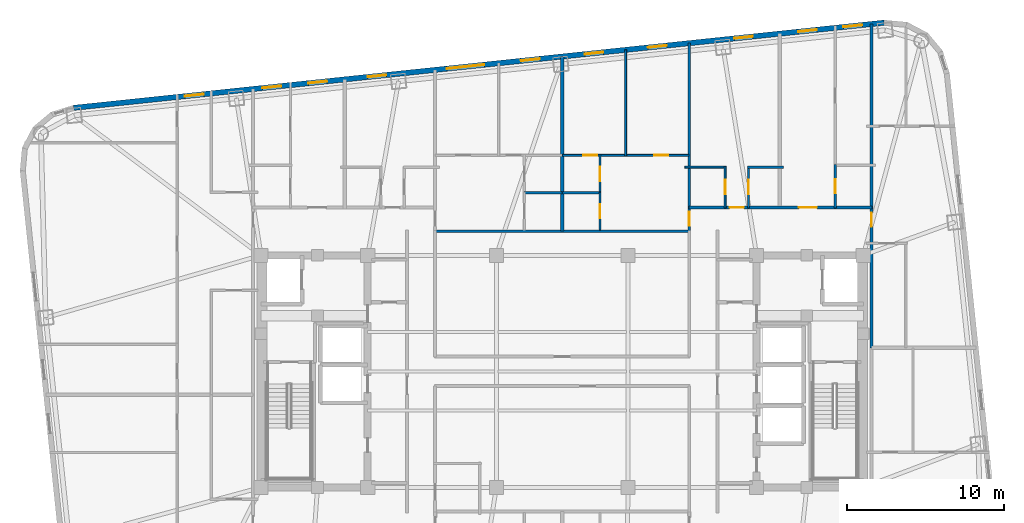
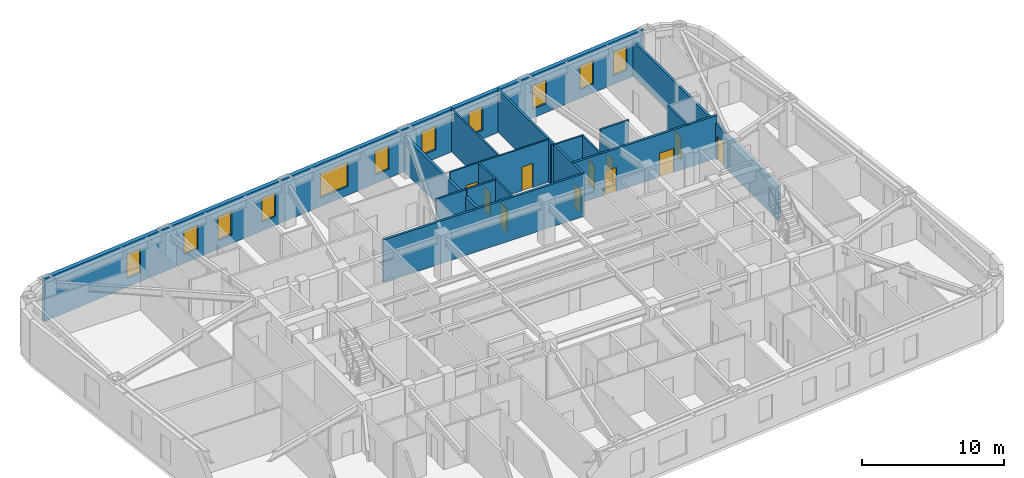
# One storey, part 8 of 11: 17 walls, 11 doors, 11 windows, 22 openings.
"""IFC4 building model written with IfcOpenShell, lengths in metres."""

from ifc_helpers import new_model, si_unit, direction, frame, frame_2d, origin, place, context, subcontext, project, spatial, rectangle, extrude, material, layer, layer_set, type_object, element, fill, save


model = new_model("IFC4")

# Units and contexts
model_context = context("Model", 3, precision=1e-05, world=origin(), true_north=direction((0.0, 1.0)))
body_context = subcontext(model_context, "Body", "Model", "MODEL_VIEW")
ifc_project = project(units=[si_unit("LENGTHUNIT", "METRE"), si_unit("AREAUNIT", "SQUARE_METRE"), si_unit("VOLUMEUNIT", "CUBIC_METRE"), si_unit("PLANEANGLEUNIT", "RADIAN"), si_unit("MASSUNIT", "GRAM", prefix="KILO")], contexts=[model_context])

# Site, building, storey
site_placement = place(None, origin())
site = spatial("IfcSite", under=ifc_project, at=site_placement, CompositionType="ELEMENT")
building_placement = place(site_placement, origin())
building = spatial("IfcBuilding", under=site, at=building_placement, Name="Voryun Gate Residences", CompositionType="ELEMENT")
storey_placement = place(building_placement, frame((0.0, 0.0, 163.800048828125)))
storey = spatial("IfcBuildingStorey", under=building, at=storey_placement, Name="L40", CompositionType="ELEMENT", Elevation=163.800048828125)

# Wall
ifc_material_1 = material(Name="Gypsum acoustic fireboard")
ifc_layer_1 = layer(ifc_material_1, 0.179931640625, Name="W_CORR_RATED_180")
ifc_layer_set_1 = layer_set([ifc_layer_1], Name="Gypsum acoustic fireboard")
wall_type_1 = type_object("IfcWallType", Name="W_CORR_RATED_180", PredefinedType="PARTITIONING", material=ifc_layer_set_1)
wall_1_placement = place(storey_placement, frame((-8.14990234375, 8.93994140625, 0.0), z_axis=(0.0, 0.0, 1.0), x_axis=(1.0, 0.0, 0.0)))
element("IfcWall", 1, at=wall_1_placement, inside=storey, type_object=wall_type_1, Name="Partition wall WP-L40-Z2N", PredefinedType="PARTITIONING", context=body_context, shape_type="SweptSolid", body=[
    extrude(rectangle(XDim=16.2998046875, YDim=0.179931640625, at=frame_2d((8.14990234375, 0.0))), origin(), (0.0, 0.0, 1.0), 3.64990234375),
])

# Wall, openings, doors
wall_2_placement = place(storey_placement, frame((8.080078125, 10.449951171875, 0.0), z_axis=(0.0, 0.0, 1.0), x_axis=(1.0, 0.0, 0.0)))
wall_2 = element("IfcWall", 2, at=wall_2_placement, inside=storey, type_object=wall_type_1, Name="Partition wall WP-L40-NCORR-E", PredefinedType="PARTITIONING", context=body_context, shape_type="SweptSolid", body=[
    extrude(rectangle(XDim=11.669921875, YDim=0.179931640625, at=frame_2d((5.8349609375, 0.0))), origin(), (0.0, 0.0, 1.0), 3.64990234375),
])
opening_1_placement = place(wall_2_placement, frame((2.60400390625, 0.0, 0.0)))
opening_1 = element("IfcOpeningElement", 3, at=opening_1_placement, cuts=wall_2, Name="Opening D-INT-2", PredefinedType="OPENING", context=body_context, shape_type="SweptSolid", body=[
    extrude(rectangle(XDim=0.89990234375, YDim=2.050048828125, at=frame_2d((0.449951171875, 1.02490234375))), frame((0.0, 0.099853515625, 0.0), z_axis=(0.0, -1.0, 0.0), x_axis=(1.0, 0.0, 0.0)), (0.0, 0.0, 1.0), 0.199951171875),
])
opening_2_placement = place(wall_2_placement, frame((7.016357421875, 0.0, 0.0)))
opening_2 = element("IfcOpeningElement", 4, at=opening_2_placement, cuts=wall_2, Name="Opening D-UNIT-1", PredefinedType="OPENING", context=body_context, shape_type="SweptSolid", body=[
    extrude(rectangle(XDim=1.14990234375, YDim=2.050048828125, at=frame_2d((0.574951171875, 1.02490234375))), frame((0.0, 0.099853515625, 0.0), z_axis=(0.0, -1.0, 0.0), x_axis=(1.0, 0.0, 0.0)), (0.0, 0.0, 1.0), 0.199951171875),
])
ifc_material_2 = material(Name="Architectural oak veneer")
door_type_1 = type_object("IfcDoorType", Name="DR_INT_BATH_900", OperationType="NOTDEFINED", PredefinedType="DOOR", material=ifc_material_2)
door_1_placement = place(opening_1_placement, origin())
door_1 = element("IfcDoor", 5, at=door_1_placement, inside=storey, type_object=door_type_1, Name="Door DR-L40-NENT-4", OperationType="SINGLE_SWING_RIGHT", OverallHeight=2.050048828125, OverallWidth=0.89990234375, PredefinedType="DOOR", context=body_context, shape_type="SweptSolid", body=[
    extrude(rectangle(XDim=0.89990234375, YDim=2.050048828125, at=frame_2d((0.449951171875, 1.02490234375))), frame((0.0, 0.02490234375, 0.0), z_axis=(0.0, -1.0, 0.0), x_axis=(1.0, 0.0, 0.0)), (0.0, 0.0, 1.0), 0.050048828125),
])
fill(opening_1, door_1)
ifc_material_3 = material(Name="Armoured timber-clad fire door", Category="wood")
door_type_2 = type_object("IfcDoorType", Name="DR_UNIT_ENTRY_1150", OperationType="NOTDEFINED", PredefinedType="DOOR", material=ifc_material_3)
door_2_placement = place(opening_2_placement, origin())
door_2 = element("IfcDoor", 6, at=door_2_placement, inside=storey, type_object=door_type_2, Name="Door DR-L40-NENT-5", OperationType="SINGLE_SWING_LEFT", OverallHeight=2.050048828125, OverallWidth=1.14990234375, PredefinedType="DOOR", context=body_context, shape_type="SweptSolid", body=[
    extrude(rectangle(XDim=1.14990234375, YDim=2.050048828125, at=frame_2d((0.574951171875, 1.02490234375))), frame((0.0, 0.02490234375, 0.0), z_axis=(0.0, -1.0, 0.0), x_axis=(1.0, 0.0, 0.0)), (0.0, 0.0, 1.0), 0.050048828125),
])
fill(opening_2, door_2)

# Wall, opening, door
wall_3_placement = place(storey_placement, frame((8.10009765625, 8.93994140625, 0.0), z_axis=(0.0, 0.0, 1.0), x_axis=(0.0, 1.0, 0.0)))
wall_3 = element("IfcWall", 7, at=wall_3_placement, inside=storey, type_object=wall_type_1, Name="Partition wall WP-L40-NZV-2", PredefinedType="PARTITIONING", context=body_context, shape_type="SweptSolid", body=[
    extrude(rectangle(XDim=11.9892578125, YDim=0.179931640625, at=frame_2d((5.99462890625, 0.0))), origin(), (0.0, 0.0, 1.0), 3.64990234375),
])
opening_3_placement = place(wall_3_placement, frame((0.349609375, 0.0, 0.0)))
opening_3 = element("IfcOpeningElement", 8, at=opening_3_placement, cuts=wall_3, Name="Opening D-INT-2", PredefinedType="OPENING", context=body_context, shape_type="SweptSolid", body=[
    extrude(rectangle(XDim=0.89990234375, YDim=2.050048828125, at=frame_2d((0.449951171875, 1.02490234375))), frame((0.0, 0.099853515625, 0.0), z_axis=(0.0, -1.0, 0.0), x_axis=(1.0, 0.0, 0.0)), (0.0, 0.0, 1.0), 0.199951171875),
])
door_3_placement = place(opening_3_placement, origin())
door_3 = element("IfcDoor", 9, at=door_3_placement, inside=storey, type_object=door_type_1, Name="Door DR-L40-NZENT-2", OperationType="SINGLE_SWING_RIGHT", OverallHeight=2.050048828125, OverallWidth=0.89990234375, PredefinedType="DOOR", context=body_context, shape_type="SweptSolid", body=[
    extrude(rectangle(XDim=0.89990234375, YDim=2.050048828125, at=frame_2d((0.449951171875, 1.02490234375))), frame((0.0, 0.02490234375, 0.0), z_axis=(0.0, -1.0, 0.0), x_axis=(1.0, 0.0, 0.0)), (0.0, 0.0, 1.0), 0.050048828125),
])
fill(opening_3, door_3)

wall_4_placement = place(storey_placement, frame((19.719970703125, 1.5, 0.0), z_axis=(0.0, 0.0, 1.0), x_axis=(0.0, 1.0, 0.0)))
wall_4 = element("IfcWall", 10, at=wall_4_placement, inside=storey, type_object=wall_type_1, Name="Partition wall WP-L40-ECOR2", PredefinedType="PARTITIONING", context=body_context, shape_type="SweptSolid", body=[
    extrude(rectangle(XDim=20.650390625, YDim=0.179931640625, at=frame_2d((10.3251953125, 0.0))), origin(), (0.0, 0.0, 1.0), 3.0400390625),
])
opening_4_placement = place(wall_4_placement, frame((7.7294921875, 0.0, 0.0)))
opening_4 = element("IfcOpeningElement", 11, at=opening_4_placement, cuts=wall_4, Name="Opening D-INT-2", PredefinedType="OPENING", context=body_context, shape_type="SweptSolid", body=[
    extrude(rectangle(XDim=0.89990234375, YDim=2.050048828125, at=frame_2d((0.449951171875, 1.02490234375))), frame((0.0, 0.099853515625, 0.0), z_axis=(0.0, -1.0, 0.0), x_axis=(1.0, 0.0, 0.0)), (0.0, 0.0, 1.0), 0.199951171875),
])
door_4_placement = place(opening_4_placement, origin())
door_4 = element("IfcDoor", 12, at=door_4_placement, inside=storey, type_object=door_type_1, Name="Door DR-L40-EE2", OperationType="SINGLE_SWING_RIGHT", OverallHeight=2.050048828125, OverallWidth=0.89990234375, PredefinedType="DOOR", context=body_context, shape_type="SweptSolid", body=[
    extrude(rectangle(XDim=0.89990234375, YDim=2.050048828125, at=frame_2d((0.449951171875, 1.02490234375))), frame((0.0, 0.02490234375, 0.0), z_axis=(0.0, -1.0, 0.0), x_axis=(1.0, 0.0, 0.0)), (0.0, 0.0, 1.0), 0.050048828125),
])
fill(opening_4, door_4)

# Wall, openings, windows
ifc_material_4 = material(Name="Charcoal terracotta masonry", Category="masonry")
ifc_layer_2 = layer(ifc_material_4, 0.340087890625, Name="W_EXT_TERRACOTTA_340")
ifc_layer_set_2 = layer_set([ifc_layer_2], Name="Charcoal terracotta masonry")
wall_type_2 = type_object("IfcWallType", Name="W_EXT_TERRACOTTA_340", PredefinedType="ELEMENTEDWALL", material=ifc_layer_set_2)
wall_5_placement = place(storey_placement, frame((-31.155517578125, 16.80322265625, 0.0), z_axis=(0.0, 0.0, 1.0), x_axis=(0.99452209583, 0.104526555986, 0.0)))
wall_5 = element("IfcWall", 13, at=wall_5_placement, inside=storey, type_object=wall_type_2, Name="Exterior wall WEXT-L40-11", PredefinedType="ELEMENTEDWALL", context=body_context, shape_type="SweptSolid", body=[
    extrude(rectangle(XDim=51.966552734375, YDim=0.340087890625, at=frame_2d((25.9833984375, 0.0))), origin(), (0.0, 0.0, 1.0), 3.64990234375),
])
opening_5_placement = place(wall_5_placement, frame((23.93310546875, 0.0, 0.75)))
opening_5 = element("IfcOpeningElement", 14, at=opening_5_placement, cuts=wall_5, Name="Opening WN2", PredefinedType="OPENING", context=body_context, shape_type="SweptSolid", body=[
    extrude(rectangle(XDim=2.39990234375, YDim=2.10009765625, at=frame_2d((1.199951171875, 1.050048828125))), frame((0.0, 0.179931640625, 0.0), z_axis=(0.0, -1.0, 0.0), x_axis=(1.0, 0.0, 0.0)), (0.0, 0.0, 1.0), 0.360107421875),
])
opening_6_placement = place(wall_5_placement, frame((15.04638671875, 0.0, 0.75)))
opening_6 = element("IfcOpeningElement", 15, at=opening_6_placement, cuts=wall_5, Name="Opening WN6", PredefinedType="OPENING", context=body_context, shape_type="SweptSolid", body=[
    extrude(rectangle(XDim=1.199951171875, YDim=2.050048828125, at=frame_2d((0.60009765625, 1.02490234375))), frame((0.0, 0.179931640625, 0.0), z_axis=(0.0, -1.0, 0.0), x_axis=(1.0, 0.0, 0.0)), (0.0, 0.0, 1.0), 0.360107421875),
])
opening_7_placement = place(wall_5_placement, frame((12.10791015625, 0.0, 0.75)))
opening_7 = element("IfcOpeningElement", 16, at=opening_7_placement, cuts=wall_5, Name="Opening WN6", PredefinedType="OPENING", context=body_context, shape_type="SweptSolid", body=[
    extrude(rectangle(XDim=1.199951171875, YDim=2.050048828125, at=frame_2d((0.60009765625, 1.02490234375))), frame((0.0, 0.179931640625, 0.0), z_axis=(0.0, -1.0, 0.0), x_axis=(1.0, 0.0, 0.0)), (0.0, 0.0, 1.0), 0.360107421875),
])
opening_8_placement = place(wall_5_placement, frame((18.851806640625, 0.0, 0.75)))
opening_8 = element("IfcOpeningElement", 17, at=opening_8_placement, cuts=wall_5, Name="Opening WN6", PredefinedType="OPENING", context=body_context, shape_type="SweptSolid", body=[
    extrude(rectangle(XDim=1.199951171875, YDim=2.050048828125, at=frame_2d((0.60009765625, 1.02490234375))), frame((0.0, 0.179931640625, 0.0), z_axis=(0.0, -1.0, 0.0), x_axis=(1.0, 0.0, 0.0)), (0.0, 0.0, 1.0), 0.360107421875),
])
opening_9_placement = place(wall_5_placement, frame((42.35791015625, 0.0, 0.75)))
opening_9 = element("IfcOpeningElement", 18, at=opening_9_placement, cuts=wall_5, Name="Opening WN6", PredefinedType="OPENING", context=body_context, shape_type="SweptSolid", body=[
    extrude(rectangle(XDim=1.199951171875, YDim=2.050048828125, at=frame_2d((0.60009765625, 1.02490234375))), frame((0.0, 0.179931640625, 0.0), z_axis=(0.0, -1.0, 0.0), x_axis=(1.0, 0.0, 0.0)), (0.0, 0.0, 1.0), 0.360107421875),
])
opening_10_placement = place(wall_5_placement, frame((46.451904296875, 0.0, 0.75)))
opening_10 = element("IfcOpeningElement", 19, at=opening_10_placement, cuts=wall_5, Name="Opening WN6", PredefinedType="OPENING", context=body_context, shape_type="SweptSolid", body=[
    extrude(rectangle(XDim=1.199951171875, YDim=2.050048828125, at=frame_2d((0.60009765625, 1.02490234375))), frame((0.0, 0.179931640625, 0.0), z_axis=(0.0, -1.0, 0.0), x_axis=(1.0, 0.0, 0.0)), (0.0, 0.0, 1.0), 0.360107421875),
])
opening_11_placement = place(wall_5_placement, frame((49.355712890625, 0.0, 0.75)))
opening_11 = element("IfcOpeningElement", 20, at=opening_11_placement, cuts=wall_5, Name="Opening WN6", PredefinedType="OPENING", context=body_context, shape_type="SweptSolid", body=[
    extrude(rectangle(XDim=1.199951171875, YDim=2.050048828125, at=frame_2d((0.60009765625, 1.02490234375))), frame((0.0, 0.179931640625, 0.0), z_axis=(0.0, -1.0, 0.0), x_axis=(1.0, 0.0, 0.0)), (0.0, 0.0, 1.0), 0.360107421875),
])
opening_12_placement = place(wall_5_placement, frame((28.68359375, 0.0, 0.75)))
opening_12 = element("IfcOpeningElement", 21, at=opening_12_placement, cuts=wall_5, Name="Opening WN6", PredefinedType="OPENING", context=body_context, shape_type="SweptSolid", body=[
    extrude(rectangle(XDim=1.199951171875, YDim=2.050048828125, at=frame_2d((0.60009765625, 1.02490234375))), frame((0.0, 0.179931640625, 0.0), z_axis=(0.0, -1.0, 0.0), x_axis=(1.0, 0.0, 0.0)), (0.0, 0.0, 1.0), 0.360107421875),
])
opening_13_placement = place(wall_5_placement, frame((32.76611328125, 0.0, 0.75)))
opening_13 = element("IfcOpeningElement", 22, at=opening_13_placement, cuts=wall_5, Name="Opening WN6", PredefinedType="OPENING", context=body_context, shape_type="SweptSolid", body=[
    extrude(rectangle(XDim=1.199951171875, YDim=2.050048828125, at=frame_2d((0.60009765625, 1.02490234375))), frame((0.0, 0.179931640625, 0.0), z_axis=(0.0, -1.0, 0.0), x_axis=(1.0, 0.0, 0.0)), (0.0, 0.0, 1.0), 0.360107421875),
])
opening_14_placement = place(wall_5_placement, frame((36.828369140625, 0.0, 0.75)))
opening_14 = element("IfcOpeningElement", 23, at=opening_14_placement, cuts=wall_5, Name="Opening WN6", PredefinedType="OPENING", context=body_context, shape_type="SweptSolid", body=[
    extrude(rectangle(XDim=1.199951171875, YDim=2.050048828125, at=frame_2d((0.60009765625, 1.02490234375))), frame((0.0, 0.179931640625, 0.0), z_axis=(0.0, -1.0, 0.0), x_axis=(1.0, 0.0, 0.0)), (0.0, 0.0, 1.0), 0.360107421875),
])
opening_15_placement = place(wall_5_placement, frame((7.135498046875, 0.0, 0.75)))
opening_15 = element("IfcOpeningElement", 24, at=opening_15_placement, cuts=wall_5, Name="Opening WN6", PredefinedType="OPENING", context=body_context, shape_type="SweptSolid", body=[
    extrude(rectangle(XDim=1.199951171875, YDim=2.050048828125, at=frame_2d((0.60009765625, 1.02490234375))), frame((0.0, 0.179931640625, 0.0), z_axis=(0.0, -1.0, 0.0), x_axis=(1.0, 0.0, 0.0)), (0.0, 0.0, 1.0), 0.360107421875),
])
ifc_material_5 = material(Name="Laminated low-E glass", Category="glass")
window_type_1 = type_object("IfcWindowType", Name="WN_POD_SLOT_1200", PartitioningType="SINGLE_PANEL", PredefinedType="WINDOW", material=ifc_material_5)
window_1_placement = place(opening_6_placement, origin())
window_1 = element("IfcWindow", 25, at=window_1_placement, inside=storey, type_object=window_type_1, Name="Window WN-L40-DWFIX-01", OverallHeight=2.050048828125, OverallWidth=1.199951171875, PartitioningType="SINGLE_PANEL", PredefinedType="WINDOW", context=body_context, shape_type="SweptSolid", body=[
    extrude(rectangle(XDim=1.199951171875, YDim=2.050048828125, at=frame_2d((0.60009765625, 1.02490234375))), frame((0.0, 0.030029296875, 0.0), z_axis=(0.0, -1.0, 0.0), x_axis=(1.0, 0.0, 0.0)), (0.0, 0.0, 1.0), 0.06005859375),
])
fill(opening_6, window_1)
window_2_placement = place(opening_7_placement, origin())
window_2 = element("IfcWindow", 26, at=window_2_placement, inside=storey, type_object=window_type_1, Name="Window WN-L40-DWFIX-02", OverallHeight=2.050048828125, OverallWidth=1.199951171875, PartitioningType="SINGLE_PANEL", PredefinedType="WINDOW", context=body_context, shape_type="SweptSolid", body=[
    extrude(rectangle(XDim=1.199951171875, YDim=2.050048828125, at=frame_2d((0.60009765625, 1.02490234375))), frame((0.0, 0.030029296875, 0.0), z_axis=(0.0, -1.0, 0.0), x_axis=(1.0, 0.0, 0.0)), (0.0, 0.0, 1.0), 0.06005859375),
])
fill(opening_7, window_2)
window_3_placement = place(opening_8_placement, origin())
window_3 = element("IfcWindow", 27, at=window_3_placement, inside=storey, type_object=window_type_1, Name="Window WN-L40-DWFIX-03", OverallHeight=2.050048828125, OverallWidth=1.199951171875, PartitioningType="SINGLE_PANEL", PredefinedType="WINDOW", context=body_context, shape_type="SweptSolid", body=[
    extrude(rectangle(XDim=1.199951171875, YDim=2.050048828125, at=frame_2d((0.60009765625, 1.02490234375))), frame((0.0, 0.030029296875, 0.0), z_axis=(0.0, -1.0, 0.0), x_axis=(1.0, 0.0, 0.0)), (0.0, 0.0, 1.0), 0.06005859375),
])
fill(opening_8, window_3)
window_4_placement = place(opening_9_placement, origin())
window_4 = element("IfcWindow", 28, at=window_4_placement, inside=storey, type_object=window_type_1, Name="Window WN-L40-DWFIX-04", OverallHeight=2.050048828125, OverallWidth=1.199951171875, PartitioningType="SINGLE_PANEL", PredefinedType="WINDOW", context=body_context, shape_type="SweptSolid", body=[
    extrude(rectangle(XDim=1.199951171875, YDim=2.050048828125, at=frame_2d((0.60009765625, 1.02490234375))), frame((0.0, 0.030029296875, 0.0), z_axis=(0.0, -1.0, 0.0), x_axis=(1.0, 0.0, 0.0)), (0.0, 0.0, 1.0), 0.06005859375),
])
fill(opening_9, window_4)
window_5_placement = place(opening_10_placement, origin())
window_5 = element("IfcWindow", 29, at=window_5_placement, inside=storey, type_object=window_type_1, Name="Window WN-L40-DWFIX-05", OverallHeight=2.050048828125, OverallWidth=1.199951171875, PartitioningType="SINGLE_PANEL", PredefinedType="WINDOW", context=body_context, shape_type="SweptSolid", body=[
    extrude(rectangle(XDim=1.199951171875, YDim=2.050048828125, at=frame_2d((0.60009765625, 1.02490234375))), frame((0.0, 0.030029296875, 0.0), z_axis=(0.0, -1.0, 0.0), x_axis=(1.0, 0.0, 0.0)), (0.0, 0.0, 1.0), 0.06005859375),
])
fill(opening_10, window_5)
window_6_placement = place(opening_11_placement, origin())
window_6 = element("IfcWindow", 30, at=window_6_placement, inside=storey, type_object=window_type_1, Name="Window WN-L40-DWFIX-06", OverallHeight=2.050048828125, OverallWidth=1.199951171875, PartitioningType="SINGLE_PANEL", PredefinedType="WINDOW", context=body_context, shape_type="SweptSolid", body=[
    extrude(rectangle(XDim=1.199951171875, YDim=2.050048828125, at=frame_2d((0.60009765625, 1.02490234375))), frame((0.0, 0.030029296875, 0.0), z_axis=(0.0, -1.0, 0.0), x_axis=(1.0, 0.0, 0.0)), (0.0, 0.0, 1.0), 0.06005859375),
])
fill(opening_11, window_6)
window_7_placement = place(opening_12_placement, origin())
window_7 = element("IfcWindow", 31, at=window_7_placement, inside=storey, type_object=window_type_1, Name="Window WN-L40-DWFIX-07", OverallHeight=2.050048828125, OverallWidth=1.199951171875, PartitioningType="SINGLE_PANEL", PredefinedType="WINDOW", context=body_context, shape_type="SweptSolid", body=[
    extrude(rectangle(XDim=1.199951171875, YDim=2.050048828125, at=frame_2d((0.60009765625, 1.02490234375))), frame((0.0, 0.030029296875, 0.0), z_axis=(0.0, -1.0, 0.0), x_axis=(1.0, 0.0, 0.0)), (0.0, 0.0, 1.0), 0.06005859375),
])
fill(opening_12, window_7)
window_8_placement = place(opening_13_placement, origin())
window_8 = element("IfcWindow", 32, at=window_8_placement, inside=storey, type_object=window_type_1, Name="Window WN-L40-DWFIX-08", OverallHeight=2.050048828125, OverallWidth=1.199951171875, PartitioningType="SINGLE_PANEL", PredefinedType="WINDOW", context=body_context, shape_type="SweptSolid", body=[
    extrude(rectangle(XDim=1.199951171875, YDim=2.050048828125, at=frame_2d((0.60009765625, 1.02490234375))), frame((0.0, 0.030029296875, 0.0), z_axis=(0.0, -1.0, 0.0), x_axis=(1.0, 0.0, 0.0)), (0.0, 0.0, 1.0), 0.06005859375),
])
fill(opening_13, window_8)
window_9_placement = place(opening_14_placement, origin())
window_9 = element("IfcWindow", 33, at=window_9_placement, inside=storey, type_object=window_type_1, Name="Window WN-L40-DWFIX-09", OverallHeight=2.050048828125, OverallWidth=1.199951171875, PartitioningType="SINGLE_PANEL", PredefinedType="WINDOW", context=body_context, shape_type="SweptSolid", body=[
    extrude(rectangle(XDim=1.199951171875, YDim=2.050048828125, at=frame_2d((0.60009765625, 1.02490234375))), frame((0.0, 0.030029296875, 0.0), z_axis=(0.0, -1.0, 0.0), x_axis=(1.0, 0.0, 0.0)), (0.0, 0.0, 1.0), 0.06005859375),
])
fill(opening_14, window_9)
window_10_placement = place(opening_15_placement, origin())
window_10 = element("IfcWindow", 34, at=window_10_placement, inside=storey, type_object=window_type_1, Name="Window WN-L40-DWFIX-23", OverallHeight=2.050048828125, OverallWidth=1.199951171875, PartitioningType="SINGLE_PANEL", PredefinedType="WINDOW", context=body_context, shape_type="SweptSolid", body=[
    extrude(rectangle(XDim=1.199951171875, YDim=2.050048828125, at=frame_2d((0.60009765625, 1.02490234375))), frame((0.0, 0.030029296875, 0.0), z_axis=(0.0, -1.0, 0.0), x_axis=(1.0, 0.0, 0.0)), (0.0, 0.0, 1.0), 0.06005859375),
])
fill(opening_15, window_10)
ifc_material_6 = material(Name="Laminated low-E glass", Category="glass")
window_type_2 = type_object("IfcWindowType", Name="WN_RES_WIDE_2400", PartitioningType="SINGLE_PANEL", PredefinedType="WINDOW", material=ifc_material_6)
window_11_placement = place(opening_5_placement, origin())
window_11 = element("IfcWindow", 35, at=window_11_placement, inside=storey, type_object=window_type_2, Name="Window WN-WEXT-L40-11-02", OverallHeight=2.10009765625, OverallWidth=2.39990234375, PartitioningType="SINGLE_PANEL", PredefinedType="WINDOW", context=body_context, shape_type="SweptSolid", body=[
    extrude(rectangle(XDim=2.39990234375, YDim=2.10009765625, at=frame_2d((1.199951171875, 1.050048828125))), frame((0.0, 0.030029296875, 0.0), z_axis=(0.0, -1.0, 0.0), x_axis=(1.0, 0.0, 0.0)), (0.0, 0.0, 1.0), 0.06005859375),
])
fill(opening_5, window_11)

# Wall
ifc_material_7 = material(Name="Concrete C40/50", Category="concrete")
ifc_layer_3 = layer(ifc_material_7, 0.219970703125, Name="W_PARTY_ACOUSTIC_220")
ifc_layer_set_3 = layer_set([ifc_layer_3], Name="Concrete C40/50")
wall_type_3 = type_object("IfcWallType", Name="W_PARTY_ACOUSTIC_220", PredefinedType="PARTITIONING", material=ifc_layer_set_3)
wall_6_placement = place(storey_placement, frame((0.0, 8.93994140625, 0.0), z_axis=(0.0, 0.0, 1.0), x_axis=(0.0, 1.0, 0.0)))
element("IfcWall", 36, at=wall_6_placement, inside=storey, type_object=wall_type_3, Name="Partition wall WP-L40-NZMID", PredefinedType="PARTITIONING", context=body_context, shape_type="SweptSolid", body=[
    extrude(rectangle(XDim=11.137939453125, YDim=0.219970703125, at=frame_2d((5.56884765625, 0.0))), origin(), (0.0, 0.0, 1.0), 3.0400390625),
])

# Wall, opening, door
ifc_material_8 = material(Name="Gypsum acoustic partition")
ifc_layer_4 = layer(ifc_material_8, 0.125, Name="W_UNIT_PART_125")
ifc_layer_set_4 = layer_set([ifc_layer_4], Name="Gypsum acoustic partition")
wall_type_4 = type_object("IfcWallType", Name="W_UNIT_PART_125", PredefinedType="PARTITIONING", material=ifc_layer_set_4)
wall_7_placement = place(storey_placement, frame((10.389892578125, 10.429931640625, 0.0), z_axis=(0.0, 0.0, 1.0), x_axis=(0.0, 1.0, 0.0)))
wall_7 = element("IfcWall", 37, at=wall_7_placement, inside=storey, type_object=wall_type_4, Name="Partition wall WP-L40-N4-CVK", PredefinedType="PARTITIONING", context=body_context, shape_type="SweptSolid", body=[
    extrude(rectangle(XDim=2.650146484375, YDim=0.125, at=frame_2d((1.3251953125, 0.0))), origin(), (0.0, 0.0, 1.0), 3.64990234375),
])
opening_16_placement = place(wall_7_placement, frame((0.875, 0.0, 0.0)))
opening_16 = element("IfcOpeningElement", 38, at=opening_16_placement, cuts=wall_7, Name="Opening D-INT-2", PredefinedType="OPENING", context=body_context, shape_type="SweptSolid", body=[
    extrude(rectangle(XDim=0.89990234375, YDim=2.050048828125, at=frame_2d((0.449951171875, 1.02490234375))), frame((0.0, 0.072509765625, 0.0), z_axis=(0.0, -1.0, 0.0), x_axis=(1.0, 0.0, 0.0)), (0.0, 0.0, 1.0), 0.14501953125),
])
door_5_placement = place(opening_16_placement, origin())
door_5 = element("IfcDoor", 39, at=door_5_placement, inside=storey, type_object=door_type_1, Name="Door DR-L40-N4-DK", OperationType="SINGLE_SWING_LEFT", OverallHeight=2.050048828125, OverallWidth=0.89990234375, PredefinedType="DOOR", context=body_context, shape_type="SweptSolid", body=[
    extrude(rectangle(XDim=0.89990234375, YDim=2.050048828125, at=frame_2d((0.449951171875, 1.02490234375))), frame((0.0, 0.02490234375, 0.0), z_axis=(0.0, -1.0, 0.0), x_axis=(1.0, 0.0, 0.0)), (0.0, 0.0, 1.0), 0.050048828125),
])
fill(opening_16, door_5)

# Wall
wall_8_placement = place(storey_placement, frame((7.820068359375, 13.02001953125, 0.0), z_axis=(0.0, 0.0, 1.0), x_axis=(1.0, 0.0, 0.0)))
element("IfcWall", 40, at=wall_8_placement, inside=storey, type_object=wall_type_4, Name="Partition wall WP-L40-N4-CHK", PredefinedType="PARTITIONING", context=body_context, shape_type="SweptSolid", body=[
    extrude(rectangle(XDim=2.6298828125, YDim=0.125, at=frame_2d((1.31494140625, 0.0))), origin(), (0.0, 0.0, 1.0), 3.64990234375),
])

# Wall, openings, doors
wall_9_placement = place(storey_placement, frame((0.02001953125, 13.780029296875, 0.0), z_axis=(0.0, 0.0, 1.0), x_axis=(1.0, 0.0, 0.0)))
wall_9 = element("IfcWall", 41, at=wall_9_placement, inside=storey, type_object=wall_type_4, Name="Partition wall WP-L40-NC2-HZ", PredefinedType="PARTITIONING", context=body_context, shape_type="SweptSolid", body=[
    extrude(rectangle(XDim=8.06005859375, YDim=0.125, at=frame_2d((4.030029296875, 0.0))), origin(), (0.0, 0.0, 1.0), 3.64990234375),
])
opening_17_placement = place(wall_9_placement, frame((1.3232421875, 0.0, 0.0)))
opening_17 = element("IfcOpeningElement", 42, at=opening_17_placement, cuts=wall_9, Name="Opening D-INT-2", PredefinedType="OPENING", context=body_context, shape_type="SweptSolid", body=[
    extrude(rectangle(XDim=0.89990234375, YDim=2.050048828125, at=frame_2d((0.449951171875, 1.02490234375))), frame((0.0, 0.072509765625, 0.0), z_axis=(0.0, -1.0, 0.0), x_axis=(1.0, 0.0, 0.0)), (0.0, 0.0, 1.0), 0.14501953125),
])
opening_18_placement = place(wall_9_placement, frame((5.8369140625, 0.0, 0.0)))
opening_18 = element("IfcOpeningElement", 43, at=opening_18_placement, cuts=wall_9, Name="Opening D-INT-2", PredefinedType="OPENING", context=body_context, shape_type="SweptSolid", body=[
    extrude(rectangle(XDim=0.89990234375, YDim=2.050048828125, at=frame_2d((0.449951171875, 1.02490234375))), frame((0.0, 0.072509765625, 0.0), z_axis=(0.0, -1.0, 0.0), x_axis=(1.0, 0.0, 0.0)), (0.0, 0.0, 1.0), 0.14501953125),
])
door_6_placement = place(opening_17_placement, origin())
door_6 = element("IfcDoor", 44, at=door_6_placement, inside=storey, type_object=door_type_1, Name="Door DR-L40-NC2-DMB", OperationType="SINGLE_SWING_LEFT", OverallHeight=2.050048828125, OverallWidth=0.89990234375, PredefinedType="DOOR", context=body_context, shape_type="SweptSolid", body=[
    extrude(rectangle(XDim=0.89990234375, YDim=2.050048828125, at=frame_2d((0.449951171875, 1.02490234375))), frame((0.0, 0.02490234375, 0.0), z_axis=(0.0, -1.0, 0.0), x_axis=(1.0, 0.0, 0.0)), (0.0, 0.0, 1.0), 0.050048828125),
])
fill(opening_17, door_6)
door_7_placement = place(opening_18_placement, origin())
door_7 = element("IfcDoor", 45, at=door_7_placement, inside=storey, type_object=door_type_1, Name="Door DR-L40-NC2-DBD2", OperationType="SINGLE_SWING_RIGHT", OverallHeight=2.050048828125, OverallWidth=0.89990234375, PredefinedType="DOOR", context=body_context, shape_type="SweptSolid", body=[
    extrude(rectangle(XDim=0.89990234375, YDim=2.050048828125, at=frame_2d((0.449951171875, 1.02490234375))), frame((0.0, 0.02490234375, 0.0), z_axis=(0.0, -1.0, 0.0), x_axis=(1.0, 0.0, 0.0)), (0.0, 0.0, 1.0), 0.050048828125),
])
fill(opening_18, door_7)

# Wall, opening, door
wall_10_placement = place(storey_placement, frame((2.409912109375, 9.0, 0.0), z_axis=(0.0, 0.0, 1.0), x_axis=(0.0, 1.0, 0.0)))
wall_10 = element("IfcWall", 46, at=wall_10_placement, inside=storey, type_object=wall_type_4, Name="Partition wall WP-L40-NC2-VK1", PredefinedType="PARTITIONING", context=body_context, shape_type="SweptSolid", body=[
    extrude(rectangle(XDim=2.409912109375, YDim=0.125, at=frame_2d((1.205078125, 0.0))), origin(), (0.0, 0.0, 1.0), 3.64990234375),
])
opening_19_placement = place(wall_10_placement, frame((0.7548828125, 0.0, 0.0)))
opening_19 = element("IfcOpeningElement", 47, at=opening_19_placement, cuts=wall_10, Name="Opening D-INT-2", PredefinedType="OPENING", context=body_context, shape_type="SweptSolid", body=[
    extrude(rectangle(XDim=0.89990234375, YDim=2.050048828125, at=frame_2d((0.449951171875, 1.02490234375))), frame((0.0, 0.072509765625, 0.0), z_axis=(0.0, -1.0, 0.0), x_axis=(1.0, 0.0, 0.0)), (0.0, 0.0, 1.0), 0.14501953125),
])
door_8_placement = place(opening_19_placement, origin())
door_8 = element("IfcDoor", 48, at=door_8_placement, inside=storey, type_object=door_type_1, Name="Door DR-L40-NC2-DK", OperationType="SINGLE_SWING_LEFT", OverallHeight=2.050048828125, OverallWidth=0.89990234375, PredefinedType="DOOR", context=body_context, shape_type="SweptSolid", body=[
    extrude(rectangle(XDim=0.89990234375, YDim=2.050048828125, at=frame_2d((0.449951171875, 1.02490234375))), frame((0.0, 0.02490234375, 0.0), z_axis=(0.0, -1.0, 0.0), x_axis=(1.0, 0.0, 0.0)), (0.0, 0.0, 1.0), 0.050048828125),
])
fill(opening_19, door_8)

# Wall
wall_11_placement = place(storey_placement, frame((4.050048828125, 13.739990234375, 0.0), z_axis=(0.0, 0.0, 1.0), x_axis=(0.0, 1.0, 0.0)))
element("IfcWall", 49, at=wall_11_placement, inside=storey, type_object=wall_type_4, Name="Partition wall WP-L40-NC2-VBD", PredefinedType="PARTITIONING", context=body_context, shape_type="SweptSolid", body=[
    extrude(rectangle(XDim=6.763427734375, YDim=0.125, at=frame_2d((3.3818359375, 0.0))), origin(), (0.0, 0.0, 1.0), 3.64990234375),
])

# Wall, opening, door
ifc_material_9 = material(Name="Gypsum moisture-resistant partition")
ifc_layer_5 = layer(ifc_material_9, 0.14990234375, Name="W_WET_PLUMB_150")
ifc_layer_set_5 = layer_set([ifc_layer_5], Name="Gypsum moisture-resistant partition")
wall_type_5 = type_object("IfcWallType", Name="W_WET_PLUMB_150", PredefinedType="PLUMBINGWALL", material=ifc_layer_set_5)
wall_12_placement = place(storey_placement, frame((11.87890625, 10.429931640625, 0.0), z_axis=(0.0, 0.0, 1.0), x_axis=(0.0, 1.0, 0.0)))
wall_12 = element("IfcWall", 50, at=wall_12_placement, inside=storey, type_object=wall_type_5, Name="Partition wall WP-L40-N4-CVB", PredefinedType="PLUMBINGWALL", context=body_context, shape_type="SweptSolid", body=[
    extrude(rectangle(XDim=2.650146484375, YDim=0.14990234375, at=frame_2d((1.3251953125, 0.0))), origin(), (0.0, 0.0, 1.0), 3.0400390625),
])
opening_20_placement = place(wall_12_placement, frame((0.875, 0.0, 0.0)))
opening_20 = element("IfcOpeningElement", 51, at=opening_20_placement, cuts=wall_12, Name="Opening D-INT-2", PredefinedType="OPENING", context=body_context, shape_type="SweptSolid", body=[
    extrude(rectangle(XDim=0.89990234375, YDim=2.050048828125, at=frame_2d((0.449951171875, 1.02490234375))), frame((0.0, 0.0849609375, 0.0), z_axis=(0.0, -1.0, 0.0), x_axis=(1.0, 0.0, 0.0)), (0.0, 0.0, 1.0), 0.169921875),
])
door_9_placement = place(opening_20_placement, origin())
door_9 = element("IfcDoor", 52, at=door_9_placement, inside=storey, type_object=door_type_1, Name="Door DR-L40-N4-DB", OperationType="SINGLE_SWING_RIGHT", OverallHeight=2.050048828125, OverallWidth=0.89990234375, PredefinedType="DOOR", context=body_context, shape_type="SweptSolid", body=[
    extrude(rectangle(XDim=0.89990234375, YDim=2.050048828125, at=frame_2d((0.449951171875, 1.02490234375))), frame((0.0, 0.02490234375, 0.0), z_axis=(0.0, -1.0, 0.0), x_axis=(1.0, 0.0, 0.0)), (0.0, 0.0, 1.0), 0.050048828125),
])
fill(opening_20, door_9)

# Wall
wall_13_placement = place(storey_placement, frame((11.819091796875, 13.02001953125, 0.0), z_axis=(0.0, 0.0, 1.0), x_axis=(1.0, 0.0, 0.0)))
element("IfcWall", 53, at=wall_13_placement, inside=storey, type_object=wall_type_5, Name="Partition wall WP-L40-N4-CHB", PredefinedType="PLUMBINGWALL", context=body_context, shape_type="SweptSolid", body=[
    extrude(rectangle(XDim=2.305908203125, YDim=0.14990234375, at=frame_2d((1.15283203125, 0.0))), origin(), (0.0, 0.0, 1.0), 3.64990234375),
])

# Wall, opening, door
wall_14_placement = place(storey_placement, frame((17.4169921875, 10.429931640625, 0.0), z_axis=(0.0, 0.0, 1.0), x_axis=(0.0, 1.0, 0.0)))
wall_14 = element("IfcWall", 54, at=wall_14_placement, inside=storey, type_object=wall_type_5, Name="Partition wall WP-L40-N5-SVT1", PredefinedType="PLUMBINGWALL", context=body_context, shape_type="SweptSolid", body=[
    extrude(rectangle(XDim=2.760009765625, YDim=0.14990234375, at=frame_2d((1.3798828125, 0.0))), origin(), (0.0, 0.0, 1.0), 3.64990234375),
])
opening_21_placement = place(wall_14_placement, frame((0.929931640625, 0.0, 0.0)))
opening_21 = element("IfcOpeningElement", 55, at=opening_21_placement, cuts=wall_14, Name="Opening D-INT-2", PredefinedType="OPENING", context=body_context, shape_type="SweptSolid", body=[
    extrude(rectangle(XDim=0.89990234375, YDim=2.050048828125, at=frame_2d((0.449951171875, 1.02490234375))), frame((0.0, 0.0849609375, 0.0), z_axis=(0.0, -1.0, 0.0), x_axis=(1.0, 0.0, 0.0)), (0.0, 0.0, 1.0), 0.169921875),
])
door_10_placement = place(opening_21_placement, origin())
door_10 = element("IfcDoor", 56, at=door_10_placement, inside=storey, type_object=door_type_1, Name="Door DR-L40-N5-DB", OperationType="SINGLE_SWING_LEFT", OverallHeight=2.050048828125, OverallWidth=0.89990234375, PredefinedType="DOOR", context=body_context, shape_type="SweptSolid", body=[
    extrude(rectangle(XDim=0.89990234375, YDim=2.050048828125, at=frame_2d((0.449951171875, 1.02490234375))), frame((0.0, 0.02490234375, 0.0), z_axis=(0.0, -1.0, 0.0), x_axis=(1.0, 0.0, 0.0)), (0.0, 0.0, 1.0), 0.050048828125),
])
fill(opening_21, door_10)

# Wall
wall_15_placement = place(storey_placement, frame((-2.449951171875, 11.3798828125, 0.0), z_axis=(0.0, 0.0, 1.0), x_axis=(1.0, 0.0, 0.0)))
element("IfcWall", 57, at=wall_15_placement, inside=storey, type_object=wall_type_5, Name="Partition wall WP-L40-NC1-HKB", PredefinedType="PLUMBINGWALL", context=body_context, shape_type="SweptSolid", body=[
    extrude(rectangle(XDim=2.429931640625, YDim=0.14990234375, at=frame_2d((1.21484375, 0.0))), origin(), (0.0, 0.0, 1.0), 3.64990234375),
])

# Wall, opening, door
wall_16_placement = place(storey_placement, frame((2.409912109375, 11.35009765625, 0.0), z_axis=(0.0, 0.0, 1.0), x_axis=(0.0, 1.0, 0.0)))
wall_16 = element("IfcWall", 58, at=wall_16_placement, inside=storey, type_object=wall_type_5, Name="Partition wall WP-L40-NC2-VK2", PredefinedType="PLUMBINGWALL", context=body_context, shape_type="SweptSolid", body=[
    extrude(rectangle(XDim=2.469970703125, YDim=0.14990234375, at=frame_2d((1.23486328125, 0.0))), origin(), (0.0, 0.0, 1.0), 3.64990234375),
])
opening_22_placement = place(wall_16_placement, frame((0.784912109375, 0.0, 0.0)))
opening_22 = element("IfcOpeningElement", 59, at=opening_22_placement, cuts=wall_16, Name="Opening D-INT-2", PredefinedType="OPENING", context=body_context, shape_type="SweptSolid", body=[
    extrude(rectangle(XDim=0.89990234375, YDim=2.050048828125, at=frame_2d((0.449951171875, 1.02490234375))), frame((0.0, 0.0849609375, 0.0), z_axis=(0.0, -1.0, 0.0), x_axis=(1.0, 0.0, 0.0)), (0.0, 0.0, 1.0), 0.169921875),
])
door_11_placement = place(opening_22_placement, origin())
door_11 = element("IfcDoor", 60, at=door_11_placement, inside=storey, type_object=door_type_1, Name="Door DR-L40-NC2-DB", OperationType="SINGLE_SWING_RIGHT", OverallHeight=2.050048828125, OverallWidth=0.89990234375, PredefinedType="DOOR", context=body_context, shape_type="SweptSolid", body=[
    extrude(rectangle(XDim=0.89990234375, YDim=2.050048828125, at=frame_2d((0.449951171875, 1.02490234375))), frame((0.0, 0.02490234375, 0.0), z_axis=(0.0, -1.0, 0.0), x_axis=(1.0, 0.0, 0.0)), (0.0, 0.0, 1.0), 0.050048828125),
])
fill(opening_22, door_11)

# Wall
wall_17_placement = place(storey_placement, frame((0.02001953125, 11.3798828125, 0.0), z_axis=(0.0, 0.0, 1.0), x_axis=(1.0, 0.0, 0.0)))
element("IfcWall", 61, at=wall_17_placement, inside=storey, type_object=wall_type_5, Name="Partition wall WP-L40-NC2-HKB", PredefinedType="PLUMBINGWALL", context=body_context, shape_type="SweptSolid", body=[
    extrude(rectangle(XDim=2.429931640625, YDim=0.14990234375, at=frame_2d((1.21484375, 0.0))), origin(), (0.0, 0.0, 1.0), 3.64990234375),
])

save(model, "model.ifc")
